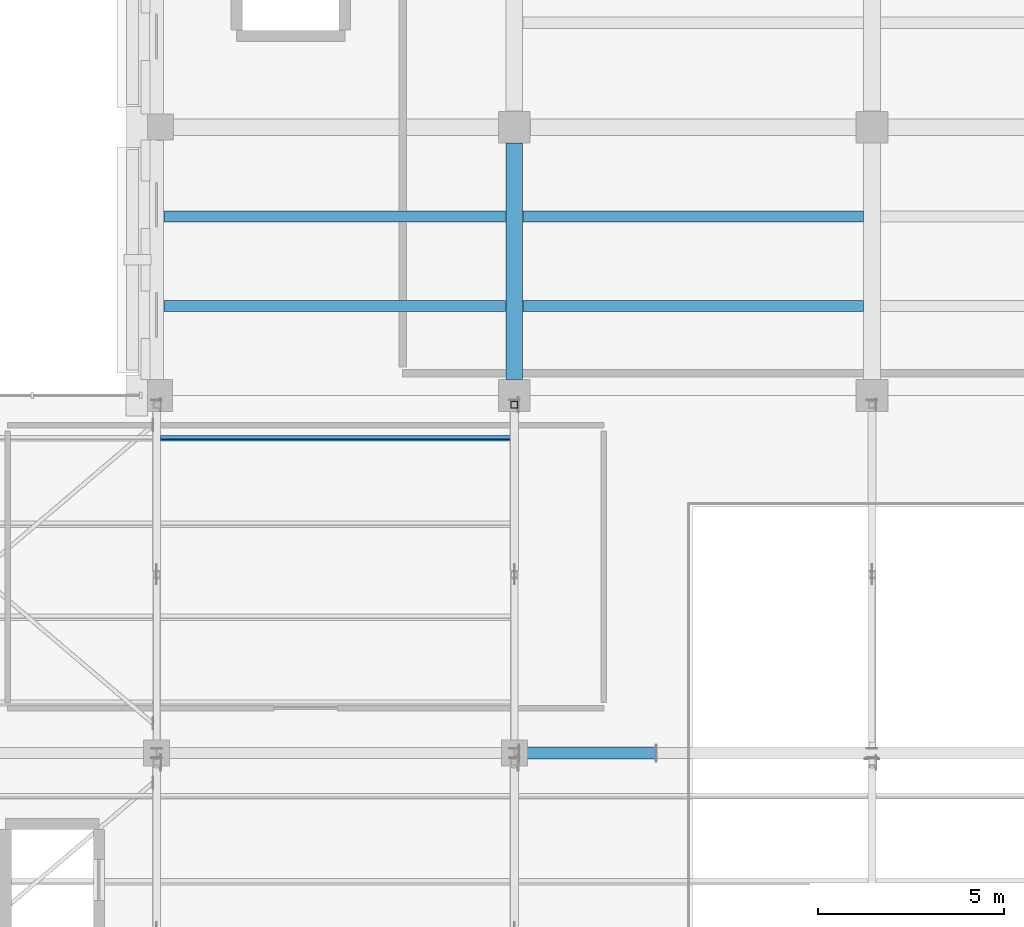
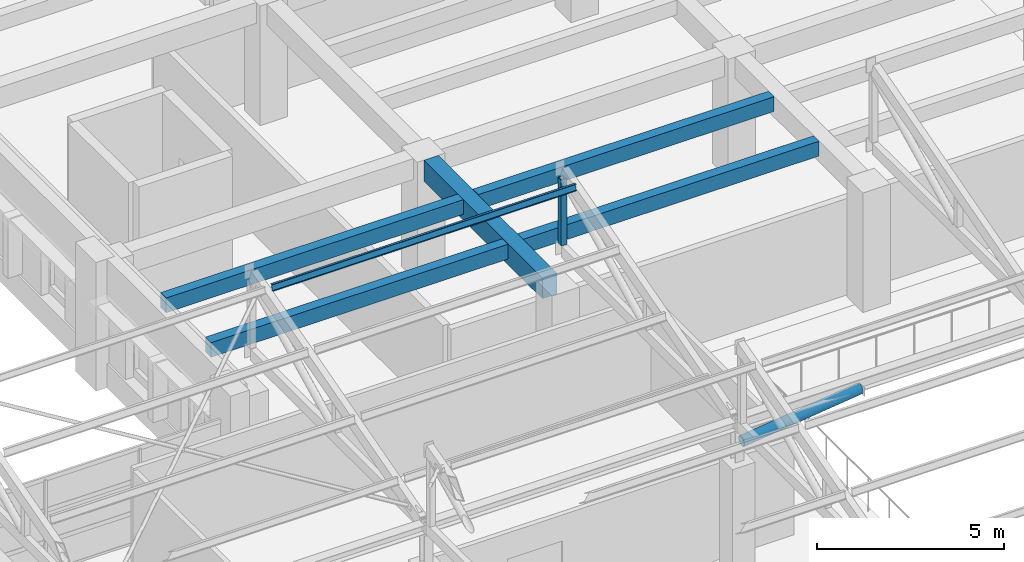
# One storey, part 20 of 58: 5 beams, 3 members.
"""IFC4 building model written with IfcOpenShell, lengths in metres."""

from ifc_helpers import new_model, si_unit, direction, frame, origin, origin_2d, place, context, subcontext, project, spatial, rectangle, hollow_rectangle, hollow_circle, i_section, extrude, material, material_profile, profile_set, type_object, element, save


model = new_model("IFC4")

# Units and contexts
model_context = context("Model", 3, precision=1e-05, world=origin(), true_north=direction((0.0, 1.0)))
body_context = subcontext(model_context, "Body", "Model", "MODEL_VIEW")
ifc_project = project(units=[si_unit("LENGTHUNIT", "METRE"), si_unit("AREAUNIT", "SQUARE_METRE"), si_unit("VOLUMEUNIT", "CUBIC_METRE"), si_unit("PLANEANGLEUNIT", "RADIAN"), si_unit("MASSUNIT", "GRAM", prefix="KILO")], contexts=[model_context])

# Site, building, storey
site_placement = place(None, origin())
site = spatial("IfcSite", under=ifc_project, at=site_placement, CompositionType="ELEMENT")
building_placement = place(site_placement, origin())
building = spatial("IfcBuilding", under=site, at=building_placement, Name="Bempovik Park Faculty of Sciences", CompositionType="ELEMENT")
storey_placement = place(building_placement, frame((0.0, 0.0, 18.300048828125)))
storey = spatial("IfcBuildingStorey", under=building, at=storey_placement, Name="L04", CompositionType="ELEMENT", Elevation=18.300048828125)

# Beams
ifc_material_1 = material(Name="Concrete C35/45", Category="concrete")
ifc_material_profile_1 = material_profile(ifc_material_1, rectangle(XDim=0.300048828125, YDim=0.47998046875, at=origin_2d()), Name="RC 300x480")
ifc_profile_set_1 = profile_set([ifc_material_profile_1], Name="Concrete C35/45")
beam_type_1 = type_object("IfcBeamType", Name="B-039 RC 300x480", PredefinedType="JOIST", material=ifc_profile_set_1)
for number, where, z_axis, x_axis, name in (
    (1, (60.196044921875, 89.39990234375, 3.659912109375), (1.0, 0.0, 0.0), (0.0, 1.0, 0.0), "L04 Secondary Joist (60.0-69.6, y=89.40)"),
    (2, (60.196044921875, 91.800048828125, 3.659912109375), (1.0, 0.0, 0.0), (0.0, 1.0, 0.0), "L04 Secondary Joist (60.0-69.6, y=91.80)"),
):
    element("IfcBeam", number, at=place(storey_placement, frame(where, z_axis=z_axis, x_axis=x_axis)), inside=storey, type_object=beam_type_1, Name=name, PredefinedType="JOIST", context=body_context, shape_type="SweptSolid", body=[
        extrude(rectangle(XDim=0.300048828125, YDim=0.47998046875, at=origin_2d()), origin(), (0.0, 0.0, 1.0), 9.1728515625),
    ])
for number, where, z_axis, x_axis, name in (
    (3, (69.8310546875, 89.39990234375, 3.659912109375), (1.0, 0.0, 0.0), (0.0, 1.0, 0.0), "L04 Secondary Joist (69.6-79.2, y=89.40)"),
    (4, (69.8310546875, 91.800048828125, 3.659912109375), (1.0, 0.0, 0.0), (0.0, 1.0, 0.0), "L04 Secondary Joist (69.6-79.2, y=91.80)"),
):
    element("IfcBeam", number, at=place(storey_placement, frame(where, z_axis=z_axis, x_axis=x_axis)), inside=storey, type_object=beam_type_1, Name=name, PredefinedType="JOIST", context=body_context, shape_type="SweptSolid", body=[
        extrude(rectangle(XDim=0.300048828125, YDim=0.47998046875, at=origin_2d()), origin(), (0.0, 0.0, 1.0), 9.137939453125),
    ])
ifc_material_profile_2 = material_profile(ifc_material_1, rectangle(XDim=0.449951171875, YDim=0.679931640625, at=origin_2d()), Name="RC 450x680")
ifc_profile_set_2 = profile_set([ifc_material_profile_2], Name="Concrete C35/45")
beam_type_2 = type_object("IfcBeamType", Name="B-113 RC 450x680", PredefinedType="BEAM", material=ifc_profile_set_2)
beam_placement = place(storey_placement, frame((69.60009765625, 87.430908203125, 3.56005859375), z_axis=(0.0, 1.0, 0.0), x_axis=(-1.0, 0.0, 0.0)))
element("IfcBeam", 5, at=beam_placement, inside=storey, type_object=beam_type_2, Name="L04 Beam Y (x=69.6, 87.0-94.2)", PredefinedType="BEAM", context=body_context, shape_type="SweptSolid", body=[
    extrude(rectangle(XDim=0.449951171875, YDim=0.679931640625, at=origin_2d()), origin(), (0.0, 0.0, 1.0), 6.338134765625),
])

# Members
ifc_material_2 = material(Name="Steel S355", Category="steel")
ifc_material_profile_3 = material_profile(ifc_material_2, hollow_circle(Radius=0.161865234375, WallThickness=0.01611328125, at=origin_2d()), Name="CHS 323.9x16")
ifc_profile_set_3 = profile_set([ifc_material_profile_3], Name="Steel S355")
member_type_1 = type_object("IfcMemberType", Name="M-38 CHS 323.9x16", PredefinedType="BRACE", material=ifc_profile_set_3)
member_1_placement = place(storey_placement, frame((69.72998046875, 77.39990234375, 4.530029296875), z_axis=(0.992495732157, 0.0, 0.122279277272), x_axis=(0.0, 1.0, 0.0)))
element("IfcMember", 6, at=member_1_placement, inside=storey, type_object=member_type_1, Name="Atrium Clear-Span Truss Diagonal 69.6", PredefinedType="BRACE", context=body_context, shape_type="SweptSolid", body=[
    extrude(hollow_circle(Radius=0.161865234375, WallThickness=0.01611328125, at=origin_2d()), origin(), (0.0, 0.0, 1.0), 3.69775390625),
])
ifc_material_profile_4 = material_profile(ifc_material_2, hollow_rectangle(XDim=0.179931640625, YDim=0.179931640625, WallThickness=0.008056640625, at=origin_2d()), Name="SHS 180x180x8")
ifc_profile_set_4 = profile_set([ifc_material_profile_4], Name="Steel S355")
member_type_2 = type_object("IfcMemberType", Name="M-40 SHS 180x180x8", PredefinedType="POST", material=ifc_profile_set_4)
member_2_placement = place(storey_placement, frame((69.60009765625, 86.75, 5.36083984375), z_axis=(0.0, 0.0, 1.0), x_axis=(1.0, 0.0, 0.0)))
element("IfcMember", 7, at=member_2_placement, inside=storey, type_object=member_type_2, Name="Sawtooth North-Light Post V2-B2 (69.6)", PredefinedType="POST", context=body_context, shape_type="SweptSolid", body=[
    extrude(hollow_rectangle(XDim=0.179931640625, YDim=0.179931640625, WallThickness=0.008056640625, at=origin_2d()), origin(), (0.0, 0.0, 1.0), 2.143798828125),
])
ifc_material_profile_5 = material_profile(ifc_material_2, i_section(OverallWidth=0.10009765625, OverallDepth=0.199951171875, WebThickness=0.005615234375, FlangeThickness=0.008544921875, at=origin_2d()), Name="IPE 200")
ifc_profile_set_5 = profile_set([ifc_material_profile_5], Name="Steel S355")
member_type_3 = type_object("IfcMemberType", Name="M-48 IPE 200", PredefinedType="PURLIN", material=ifc_profile_set_5)
member_3_placement = place(storey_placement, frame((60.10595703125, 85.847900390625, 7.790771484375), z_axis=(1.0, 0.0, 0.0), x_axis=(0.0, 0.965925826289, -0.258819045103)))
element("IfcMember", 8, at=member_3_placement, inside=storey, type_object=member_type_3, Name="Sawtooth Roof Purlin V2-B2 (60.0-69.6) #4", PredefinedType="PURLIN", context=body_context, shape_type="SweptSolid", body=[
    extrude(i_section(OverallWidth=0.10009765625, OverallDepth=0.199951171875, WebThickness=0.005615234375, FlangeThickness=0.008544921875, at=origin_2d()), origin(), (0.0, 0.0, 1.0), 9.387939453125),
])

save(model, "model.ifc")
